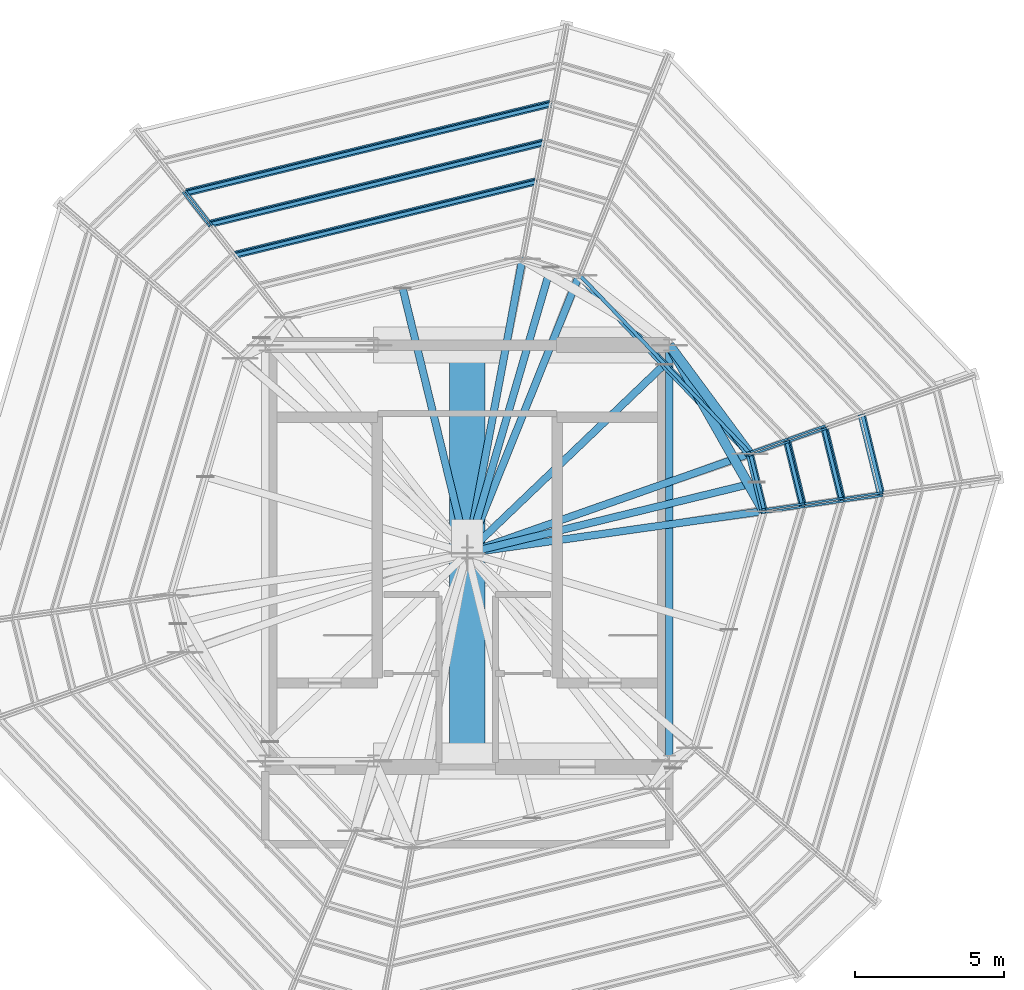
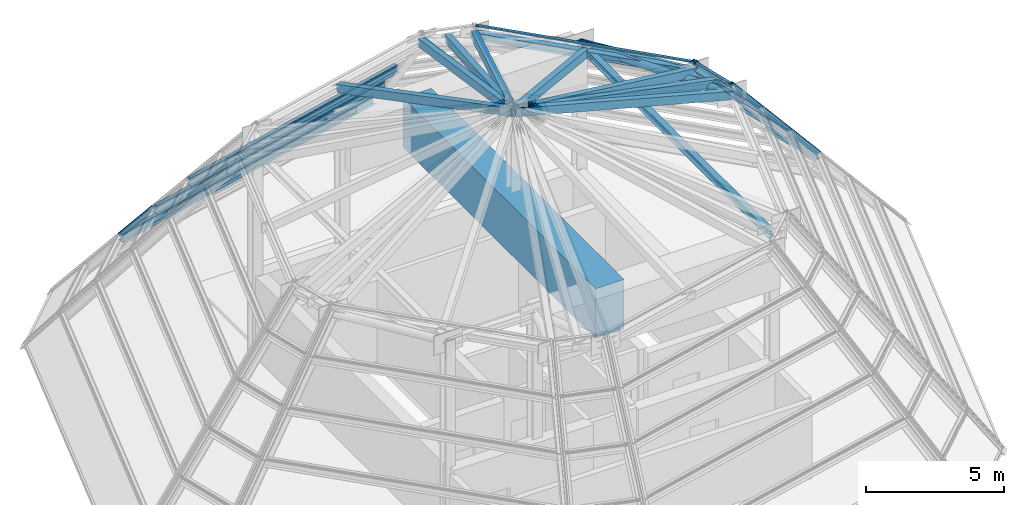
# One storey, part 7 of 13: 35 members, 10 beams, 14 elements without a shape of their own.
"""IFC4 building model written with IfcOpenShell, lengths in metres."""

from ifc_helpers import new_model, si_unit, direction, frame, origin, origin_2d, place, context, subcontext, project, spatial, rectangle, hollow_rectangle, hollow_circle, i_section, extrude, source, transform, mapped, material, layer, layer_set, material_profile, profile_set, type_object, element, aggregate, save


model = new_model("IFC4")

# Units and contexts
model_context = context("Model", 3, precision=1e-05, world=origin(), true_north=direction((0.0, 1.0)))
body_context = subcontext(model_context, "Body", "Model", "MODEL_VIEW")
ifc_project = project(units=[si_unit("LENGTHUNIT", "METRE"), si_unit("AREAUNIT", "SQUARE_METRE"), si_unit("VOLUMEUNIT", "CUBIC_METRE"), si_unit("PLANEANGLEUNIT", "RADIAN"), si_unit("MASSUNIT", "GRAM", prefix="KILO")], contexts=[model_context])

# Site, building, storey
site_placement = place(None, origin())
site = spatial("IfcSite", under=ifc_project, at=site_placement, CompositionType="ELEMENT")
building_placement = place(site_placement, origin())
building = spatial("IfcBuilding", under=site, at=building_placement, Name="Veraguas Prism Commons", CompositionType="ELEMENT")
storey_placement = place(building_placement, frame((0.0, 0.0, 268.89990234375)))
storey = spatial("IfcBuildingStorey", under=building, at=storey_placement, Name="RF", CompositionType="ELEMENT", Elevation=268.89990234375)

# Members
ifc_material_1 = material(Name="Steel ASTM A500 Grade C", Category="steel")
ifc_material_profile_1 = material_profile(ifc_material_1, hollow_circle(Radius=0.162109375, WallThickness=0.01611328125, at=origin_2d()), Name="CHS324X16")
ifc_profile_set_1 = profile_set([ifc_material_profile_1], Name="Steel ASTM A500 Grade C")
member_type_1 = type_object("IfcMemberType", Name="Crown Apex Collar Strut CHS 324x16", PredefinedType="STRUT", material=ifc_profile_set_1)
member_1_placement = place(storey_placement, frame((33.975830078125, 25.41259765625, 9.067138671875), z_axis=(-0.49414123824, 0.869381640403, 0.0), x_axis=(-0.869381640403, -0.49414123824, 0.0)))
element("IfcMember", 1, at=member_1_placement, inside=storey, type_object=member_type_1, Name="Crown Apex Collar Strut 01", PredefinedType="STRUT", context=body_context, shape_type="SweptSolid", body=[
    extrude(hollow_circle(Radius=0.162109375, WallThickness=0.01611328125, at=origin_2d()), origin(), (0.0, 0.0, 1.0), 6.4267578125),
])
member_2_placement = place(storey_placement, frame((33.50439453125, 27.343505859375, 9.067138671875), z_axis=(-0.59463555579, 0.803995370503, 0.0), x_axis=(-0.803995370503, -0.59463555579, 0.0)))
element("IfcMember", 2, at=member_2_placement, inside=storey, type_object=member_type_1, Name="Crown Apex Collar Strut 02", PredefinedType="STRUT", context=body_context, shape_type="SweptSolid", body=[
    extrude(hollow_circle(Radius=0.162109375, WallThickness=0.01611328125, at=origin_2d()), origin(), (0.0, 0.0, 1.0), 4.5478515625),
])

# Beams
ifc_material_2 = material(Name="Steel ASTM A992 Grade 50", Category="steel")
ifc_material_profile_2 = material_profile(ifc_material_2, i_section(OverallWidth=0.25390625, OverallDepth=0.305908203125, WebThickness=0.0087890625, FlangeThickness=0.0146484375, at=origin_2d()), Name="W310X79")
ifc_profile_set_2 = profile_set([ifc_material_profile_2], Name="Steel ASTM A992 Grade 50")
beam_type_1 = type_object("IfcBeamType", Name="Crown Ring Spandrel W310x79", PredefinedType="SPANDREL", material=ifc_profile_set_2)
beam_1_placement = place(storey_placement, frame((30.800048828125, 17.0, 9.067138671875), z_axis=(0.0, 1.0, 0.0), x_axis=(-1.0, 0.0, 0.0)))
element("IfcBeam", 3, at=beam_1_placement, inside=storey, type_object=beam_type_1, Name="Crown Apex Ring Beam 6", PredefinedType="SPANDREL", context=body_context, shape_type="SweptSolid", body=[
    extrude(i_section(OverallWidth=0.25390625, OverallDepth=0.305908203125, WebThickness=0.0087890625, FlangeThickness=0.0146484375, at=origin_2d()), origin(), (0.0, 0.0, 1.0), 14.0),
])
beam_2_placement = place(storey_placement, frame((37.9287109375, 25.972412109375, 4.59716796875), z_axis=(-0.237191112985, 0.971463008004, 0.0), x_axis=(-0.971463008004, -0.237191112985, 0.0)))
element("IfcBeam", 4, at=beam_2_placement, inside=storey, type_object=beam_type_1, Name="Crown Facet Ring Beam T3-V01", PredefinedType="SPANDREL", context=body_context, shape_type="SweptSolid", body=[
    extrude(i_section(OverallWidth=0.25390625, OverallDepth=0.305908203125, WebThickness=0.0087890625, FlangeThickness=0.0146484375, at=origin_2d()), origin(), (0.0, 0.0, 1.0), 2.77490234375),
])
beam_3_placement = place(storey_placement, frame((36.611083984375, 25.78564453125, 6.180419921875), z_axis=(-0.237182094175, 0.971465209981, 0.0), x_axis=(-0.971465209981, -0.237182094175, 0.0)))
element("IfcBeam", 5, at=beam_3_placement, inside=storey, type_object=beam_type_1, Name="Crown Facet Ring Beam T4-V01", PredefinedType="SPANDREL", context=body_context, shape_type="SweptSolid", body=[
    extrude(i_section(OverallWidth=0.25390625, OverallDepth=0.305908203125, WebThickness=0.0087890625, FlangeThickness=0.0146484375, at=origin_2d()), origin(), (0.0, 0.0, 1.0), 2.5126953125),
])
beam_4_placement = place(storey_placement, frame((35.29345703125, 25.59912109375, 7.763916015625), z_axis=(-0.2371959725, 0.971461821499, 0.0), x_axis=(-0.971461821499, -0.2371959725, 0.0)))
element("IfcBeam", 6, at=beam_4_placement, inside=storey, type_object=beam_type_1, Name="Crown Facet Ring Beam T5-V01", PredefinedType="SPANDREL", context=body_context, shape_type="SweptSolid", body=[
    extrude(i_section(OverallWidth=0.25390625, OverallDepth=0.305908203125, WebThickness=0.0087890625, FlangeThickness=0.0146484375, at=origin_2d()), origin(), (0.0, 0.0, 1.0), 2.25),
])
beam_5_placement = place(storey_placement, frame((33.975830078125, 25.41259765625, 9.067138671875), z_axis=(-0.237185213056, 0.971464448504, 0.0), x_axis=(-0.971464448504, -0.237185213056, 0.0)))
element("IfcBeam", 7, at=beam_5_placement, inside=storey, type_object=beam_type_1, Name="Crown Facet Ring Beam T6-V01", PredefinedType="SPANDREL", context=body_context, shape_type="SweptSolid", body=[
    extrude(i_section(OverallWidth=0.25390625, OverallDepth=0.305908203125, WebThickness=0.0087890625, FlangeThickness=0.0146484375, at=origin_2d()), origin(), (0.0, 0.0, 1.0), 1.987548828125),
])
beam_6_placement = place(storey_placement, frame((33.50439453125, 27.343505859375, 9.067138671875), z_axis=(-0.691129195841, 0.722731232656, 0.0), x_axis=(-0.722731232656, -0.691129195841, 0.0)))
element("IfcBeam", 8, at=beam_6_placement, inside=storey, type_object=beam_type_1, Name="Crown Facet Ring Beam T6-V02", PredefinedType="SPANDREL", context=body_context, shape_type="SweptSolid", body=[
    extrude(i_section(OverallWidth=0.25390625, OverallDepth=0.305908203125, WebThickness=0.0087890625, FlangeThickness=0.0146484375, at=origin_2d()), origin(), (0.0, 0.0, 1.0), 8.304931640625),
])
beam_7_placement = place(storey_placement, frame((26.837646484375, 39.134521484375, 3.013916015625), z_axis=(-0.971464042785, -0.237186874796, 0.0), x_axis=(0.237186874796, -0.971464042785, 0.0)))
element("IfcBeam", 9, at=beam_7_placement, inside=storey, type_object=beam_type_1, Name="Crown Facet Ring Beam T2-V04", PredefinedType="SPANDREL", context=body_context, shape_type="SweptSolid", body=[
    extrude(i_section(OverallWidth=0.25390625, OverallDepth=0.305908203125, WebThickness=0.0087890625, FlangeThickness=0.0146484375, at=origin_2d()), origin(), (0.0, 0.0, 1.0), 12.692626953125),
])
beam_8_placement = place(storey_placement, frame((26.592529296875, 37.82666015625, 4.59716796875), z_axis=(-0.971466525392, -0.237176706368, 0.0), x_axis=(0.237176706368, -0.971466525392, 0.0)))
element("IfcBeam", 10, at=beam_8_placement, inside=storey, type_object=beam_type_1, Name="Crown Facet Ring Beam T3-V04", PredefinedType="SPANDREL", context=body_context, shape_type="SweptSolid", body=[
    extrude(i_section(OverallWidth=0.25390625, OverallDepth=0.305908203125, WebThickness=0.0087890625, FlangeThickness=0.0146484375, at=origin_2d()), origin(), (0.0, 0.0, 1.0), 11.595703125),
])
beam_9_placement = place(storey_placement, frame((26.34716796875, 36.518798828125, 6.180419921875), z_axis=(-0.971462860485, -0.237191717181, 0.0), x_axis=(0.237191717181, -0.971462860485, 0.0)))
element("IfcBeam", 11, at=beam_9_placement, inside=storey, type_object=beam_type_1, Name="Crown Facet Ring Beam T4-V04", PredefinedType="SPANDREL", context=body_context, shape_type="SweptSolid", body=[
    extrude(i_section(OverallWidth=0.25390625, OverallDepth=0.305908203125, WebThickness=0.0087890625, FlangeThickness=0.0146484375, at=origin_2d()), origin(), (0.0, 0.0, 1.0), 10.498779296875),
])

# Members
ifc_material_profile_3 = material_profile(ifc_material_1, hollow_rectangle(XDim=0.25, YDim=0.35009765625, WallThickness=0.01611328125, at=origin_2d()), Name="HSS350X250X16")
ifc_profile_set_3 = profile_set([ifc_material_profile_3], Name="Steel ASTM A500 Grade C")
member_type_2 = type_object("IfcMemberType", Name="Glass Point Crown Rib HSS 350x250x16", PredefinedType="RAFTER", material=ifc_profile_set_3)
member_3_placement = place(storey_placement, frame((33.975830078125, 25.41259765625, 9.067138671875), z_axis=(-0.932888822786, -0.132098938563, 0.335064642647), x_axis=(0.140203374759, -0.990122726588, 0.0)))
element("IfcMember", 12, at=member_3_placement, inside=storey, type_object=member_type_2, Name="Crown Pyramidal Hip Rafter 01", PredefinedType="RAFTER", context=body_context, shape_type="SweptSolid", body=[
    extrude(hollow_rectangle(XDim=0.25, YDim=0.35009765625, WallThickness=0.01611328125, at=origin_2d()), origin(), (0.0, 0.0, 1.0), 10.693603515625),
])
member_4_placement = place(storey_placement, frame((33.740234375, 26.3779296875, 9.067138671875), z_axis=(-0.914809280623, -0.223336735344, 0.336518473091), x_axis=(0.237169185892, -0.971468361432, 0.0)))
element("IfcMember", 13, at=member_4_placement, inside=storey, type_object=member_type_2, Name="Crown Pyramidal Mid Rafter 01", PredefinedType="RAFTER", context=body_context, shape_type="SweptSolid", body=[
    extrude(hollow_rectangle(XDim=0.25, YDim=0.35009765625, WallThickness=0.01611328125, at=origin_2d()), origin(), (0.0, 0.0, 1.0), 10.647216796875),
])
member_5_placement = place(storey_placement, frame((33.50439453125, 27.343505859375, 9.067138671875), z_axis=(-0.888802847543, -0.312667736889, 0.335064746739), x_axis=(0.33185030924, -0.943332058322, 0.0)))
element("IfcMember", 14, at=member_5_placement, inside=storey, type_object=member_type_2, Name="Crown Pyramidal Hip Rafter 02", PredefinedType="RAFTER", context=body_context, shape_type="SweptSolid", body=[
    extrude(hollow_rectangle(XDim=0.25, YDim=0.35009765625, WallThickness=0.01611328125, at=origin_2d()), origin(), (0.0, 0.0, 1.0), 10.693359375),
])
member_6_placement = place(storey_placement, frame((30.634521484375, 30.344482421875, 9.067138671875), z_axis=(-0.673261399564, -0.643828665703, 0.363598318307), x_axis=(0.69113266808, -0.722727912228, 0.0)))
element("IfcMember", 15, at=member_6_placement, inside=storey, type_object=member_type_2, Name="Crown Pyramidal Mid Rafter 02", PredefinedType="RAFTER", context=body_context, shape_type="SweptSolid", body=[
    extrude(hollow_rectangle(XDim=0.25, YDim=0.35009765625, WallThickness=0.01611328125, at=origin_2d()), origin(), (0.0, 0.0, 1.0), 9.854248046875),
])
member_7_placement = place(storey_placement, frame((27.7646484375, 33.345703125, 9.067138671875), z_axis=(-0.352047474863, -0.873954431761, 0.33506152666), x_axis=(0.927571545568, -0.37364559124, 0.0)))
element("IfcMember", 16, at=member_7_placement, inside=storey, type_object=member_type_2, Name="Crown Pyramidal Hip Rafter 03", PredefinedType="RAFTER", context=body_context, shape_type="SweptSolid", body=[
    extrude(hollow_rectangle(XDim=0.25, YDim=0.35009765625, WallThickness=0.01611328125, at=origin_2d()), origin(), (0.0, 0.0, 1.0), 10.693603515625),
])
member_8_placement = place(storey_placement, frame((26.810791015625, 33.624267578125, 9.067138671875), z_axis=(-0.263990942743, -0.903916177701, 0.336517942821), x_axis=(0.959900396633, -0.280341271567, 0.0)))
element("IfcMember", 17, at=member_8_placement, inside=storey, type_object=member_type_2, Name="Crown Pyramidal Mid Rafter 03", PredefinedType="RAFTER", context=body_context, shape_type="SweptSolid", body=[
    extrude(hollow_rectangle(XDim=0.25, YDim=0.35009765625, WallThickness=0.01611328125, at=origin_2d()), origin(), (0.0, 0.0, 1.0), 10.647216796875),
])
member_9_placement = place(storey_placement, frame((25.856689453125, 33.90283203125, 9.067138671875), z_axis=(-0.17362756464, -0.926059339502, 0.33506352908), x_axis=(0.982873832801, -0.184279756877, 0.0)))
element("IfcMember", 18, at=member_9_placement, inside=storey, type_object=member_type_2, Name="Crown Pyramidal Hip Rafter 04", PredefinedType="RAFTER", context=body_context, shape_type="SweptSolid", body=[
    extrude(hollow_rectangle(XDim=0.25, YDim=0.35009765625, WallThickness=0.01611328125, at=origin_2d()), origin(), (0.0, 0.0, 1.0), 10.693603515625),
])
member_10_placement = place(storey_placement, frame((21.82275390625, 32.91796875, 9.067138671875), z_axis=(0.22094229963, -0.9049764881, 0.363596006881), x_axis=(0.971466855013, 0.237175356247, 0.0)))
element("IfcMember", 19, at=member_10_placement, inside=storey, type_object=member_type_2, Name="Crown Pyramidal Mid Rafter 04", PredefinedType="RAFTER", context=body_context, shape_type="SweptSolid", body=[
    extrude(hollow_rectangle(XDim=0.25, YDim=0.35009765625, WallThickness=0.01611328125, at=origin_2d()), origin(), (0.0, 0.0, 1.0), 9.854248046875),
])

# Beam
ifc_material_3 = material(Name="Concrete C50/60", Category="concrete")
ifc_material_profile_4 = material_profile(ifc_material_3, rectangle(XDim=1.199951171875, YDim=2.199951171875, at=origin_2d()), Name="RC1200X2200")
ifc_profile_set_4 = profile_set([ifc_material_profile_4], Name="Concrete C50/60")
beam_type_2 = type_object("IfcBeamType", Name="Podium Transfer Girder RC 1200x2200", PredefinedType="BEAM", material=ifc_profile_set_4)
beam_10_placement = place(storey_placement, frame((24.0, 17.0, 8.1201171875), z_axis=(0.0, 1.0, 0.0), x_axis=(-1.0, 0.0, 0.0)))
element("IfcBeam", 20, at=beam_10_placement, inside=storey, type_object=beam_type_2, Name="Crown Apex Central Transfer Girder", PredefinedType="BEAM", context=body_context, shape_type="SweptSolid", body=[
    extrude(rectangle(XDim=1.199951171875, YDim=2.199951171875, at=origin_2d()), origin(), (0.0, 0.0, 1.0), 14.0),
])

# Curtain wall, member
ifc_material_4 = material(Name="Anodised aluminium EN AW-6063 T6", Category="aluminium")
ifc_layer = layer(ifc_material_4, 0.199951171875, Name="Faceted Glass Point Crown Curtain Wall", Category="aluminium")
ifc_layer_set = layer_set([ifc_layer], Name="Anodised aluminium EN AW-6063 T6")
curtain_wall_type = type_object("IfcCurtainWallType", Name="Faceted Glass Point Crown Curtain Wall", PredefinedType="NOTDEFINED", material=ifc_layer_set)
curtain_wall_1_placement = place(storey_placement, origin())
curtain_wall_1 = element("IfcCurtainWall", 21, at=curtain_wall_1_placement, inside=storey, type_object=curtain_wall_type, Name="Crown Glass-Point Facet T4-F01", PredefinedType="NOTDEFINED")
ifc_material_profile_5 = material_profile(ifc_material_4, hollow_rectangle(XDim=0.06494140625, YDim=0.199951171875, WallThickness=0.00390625, at=origin_2d()), Name="AL65X200X4")
ifc_profile_set_5 = profile_set([ifc_material_profile_5], Name="Anodised aluminium EN AW-6063 T6")
member_type_3 = type_object("IfcMemberType", Name="Curtain Wall Mullion Heavy AL 65x200x4", PredefinedType="MULLION", material=ifc_profile_set_5)
shared_shape_1 = source(origin(), body_context, "Body", "SweptSolid", [
    extrude(hollow_rectangle(XDim=0.06494140625, YDim=0.199951171875, WallThickness=0.00390625, at=origin_2d()), origin(), (0.0, 0.0, 1.0), 2.068359375),
])
member_11_placement = place(storey_placement, frame((37.916259765625, 26.023193359375, 4.75), z_axis=(-0.637018728137, -0.090176451417, 0.765555581008), x_axis=(0.140162712882, -0.99012848354, 0.0)))
member_11 = element("IfcMember", 22, at=member_11_placement, type_object=member_type_3, Name="CW-CRN Mullion 1", PredefinedType="MULLION", context=body_context, shape_type="MappedRepresentation", body=[
    mapped(shared_shape_1, transform((0.0, 0.0, 0.0), scale=1.0)),
])

curtain_wall_2_placement = place(storey_placement, origin())
curtain_wall_2 = element("IfcCurtainWall", 23, at=curtain_wall_2_placement, inside=storey, type_object=curtain_wall_type, Name="Crown Glass-Point Facet T4-F12", PredefinedType="NOTDEFINED")
member_12_placement = place(storey_placement, frame((37.913818359375, 25.921875, 4.75), z_axis=(-0.637018728137, -0.090176451417, 0.765555581008), x_axis=(0.140162712882, -0.99012848354, 0.0)))
member_12 = element("IfcMember", 24, at=member_12_placement, type_object=member_type_3, Name="CW-CRN Mullion 2", PredefinedType="MULLION", context=body_context, shape_type="MappedRepresentation", body=[
    mapped(shared_shape_1, transform((0.0, 0.0, 0.0), scale=1.0)),
])
aggregate(curtain_wall_2, [member_12])

curtain_wall_3_placement = place(storey_placement, origin())
curtain_wall_3 = element("IfcCurtainWall", 25, at=curtain_wall_3_placement, inside=storey, type_object=curtain_wall_type, Name="Crown Glass-Point Facet T5-F01", PredefinedType="NOTDEFINED")
member_13_placement = place(storey_placement, frame((36.5986328125, 25.836669921875, 6.33349609375), z_axis=(-0.637076292552, -0.090184600243, 0.765506718029), x_axis=(0.140162712882, -0.99012848354, 0.0)))
member_13 = element("IfcMember", 26, at=member_13_placement, type_object=member_type_3, Name="CW-CRN Mullion 1", PredefinedType="MULLION", context=body_context, shape_type="MappedRepresentation", body=[
    mapped(shared_shape_1, transform((0.0, 0.0, 0.0), scale=1.0)),
])

# Curtain wall, members
curtain_wall_4_placement = place(storey_placement, origin())
curtain_wall_4 = element("IfcCurtainWall", 27, at=curtain_wall_4_placement, inside=storey, type_object=curtain_wall_type, Name="Crown Glass-Point Facet T6-F01", PredefinedType="NOTDEFINED")
member_14_placement = place(storey_placement, frame((35.281005859375, 25.650146484375, 7.916748046875), z_axis=(-0.637076292552, -0.090184600243, 0.765506718029), x_axis=(0.140162712882, -0.99012848354, 0.0)))
member_14 = element("IfcMember", 28, at=member_14_placement, type_object=member_type_3, Name="CW-CRN Mullion 1", PredefinedType="MULLION", context=body_context, shape_type="MappedRepresentation", body=[
    mapped(shared_shape_1, transform((0.0, 0.0, 0.0), scale=1.0)),
])
member_15_placement = place(storey_placement, frame((34.772216796875, 27.734130859375, 7.916748046875), z_axis=(-0.606969745042, -0.213537197352, 0.765499571489), x_axis=(0.331869934634, -0.943325154168, 0.0)))
member_15 = element("IfcMember", 29, at=member_15_placement, type_object=member_type_3, Name="CW-CRN Mullion 2", PredefinedType="MULLION", context=body_context, shape_type="MappedRepresentation", body=[
    mapped(shared_shape_1, transform((0.0, 0.0, 0.0), scale=1.0)),
])

# Curtain wall, member
curtain_wall_5_placement = place(storey_placement, origin())
curtain_wall_5 = element("IfcCurtainWall", 30, at=curtain_wall_5_placement, inside=storey, type_object=curtain_wall_type, Name="Crown Glass-Point Facet T6-F02", PredefinedType="NOTDEFINED")
member_16_placement = place(storey_placement, frame((34.7236328125, 27.822998046875, 7.916748046875), z_axis=(-0.606969745042, -0.213537197352, 0.765499571489), x_axis=(0.331869934634, -0.943325154168, 0.0)))
member_16 = element("IfcMember", 31, at=member_16_placement, type_object=member_type_3, Name="CW-CRN Mullion 1", PredefinedType="MULLION", context=body_context, shape_type="MappedRepresentation", body=[
    mapped(shared_shape_1, transform((0.0, 0.0, 0.0), scale=1.0)),
])

curtain_wall_6_placement = place(storey_placement, origin())
curtain_wall_6 = element("IfcCurtainWall", 32, at=curtain_wall_6_placement, inside=storey, type_object=curtain_wall_type, Name="Crown Glass-Point Facet T6-F12", PredefinedType="NOTDEFINED")
member_17_placement = place(storey_placement, frame((35.27880859375, 25.548828125, 7.916748046875), z_axis=(-0.637076292552, -0.090184600243, 0.765506718029), x_axis=(0.140162712882, -0.99012848354, 0.0)))
member_17 = element("IfcMember", 33, at=member_17_placement, type_object=member_type_3, Name="CW-CRN Mullion 2", PredefinedType="MULLION", context=body_context, shape_type="MappedRepresentation", body=[
    mapped(shared_shape_1, transform((0.0, 0.0, 0.0), scale=1.0)),
])
aggregate(curtain_wall_6, [member_17])

curtain_wall_7_placement = place(storey_placement, origin())
curtain_wall_7 = element("IfcCurtainWall", 34, at=curtain_wall_7_placement, inside=storey, type_object=curtain_wall_type, Name="Crown Glass-Point Facet T3-F04", PredefinedType="NOTDEFINED")
shared_shape_2 = source(origin(), body_context, "Body", "SweptSolid", [
    extrude(hollow_rectangle(XDim=0.06494140625, YDim=0.199951171875, WallThickness=0.00390625, at=origin_2d()), origin(), (0.0, 0.0, 1.0), 2.068115234375),
])
member_18_placement = place(storey_placement, frame((14.558349609375, 36.136474609375, 3.166748046875), z_axis=(0.396624591411, -0.506640698315, 0.765509070031), x_axis=(0.787412078932, 0.616426976983, 0.0)))
member_18 = element("IfcMember", 35, at=member_18_placement, type_object=member_type_3, Name="CW-CRN Mullion 2", PredefinedType="MULLION", context=body_context, shape_type="MappedRepresentation", body=[
    mapped(shared_shape_2, transform((0.0, 0.0, 0.0), scale=1.0)),
])

curtain_wall_8_placement = place(storey_placement, origin())
curtain_wall_8 = element("IfcCurtainWall", 36, at=curtain_wall_8_placement, inside=storey, type_object=curtain_wall_type, Name="Crown Glass-Point Facet T3-F05", PredefinedType="NOTDEFINED")
member_19_placement = place(storey_placement, frame((14.46923828125, 36.087890625, 3.166748046875), z_axis=(0.396624591411, -0.506640698315, 0.765509070031), x_axis=(0.787412078932, 0.616426976983, 0.0)))
member_19 = element("IfcMember", 37, at=member_19_placement, type_object=member_type_3, Name="CW-CRN Mullion 1", PredefinedType="MULLION", context=body_context, shape_type="MappedRepresentation", body=[
    mapped(shared_shape_2, transform((0.0, 0.0, 0.0), scale=1.0)),
])
aggregate(curtain_wall_8, [member_19])

# Member
member_20_placement = place(storey_placement, frame((36.027587890625, 28.175537109375, 6.33349609375), z_axis=(-0.606985040832, -0.213424533999, 0.765518862271), x_axis=(0.331706670109, -0.943382576162, 0.0)))
member_20 = element("IfcMember", 38, at=member_20_placement, type_object=member_type_3, Name="CW-CRN Mullion 2", PredefinedType="MULLION", context=body_context, shape_type="MappedRepresentation", body=[
    mapped(shared_shape_2, transform((0.0, 0.0, 0.0), scale=1.0)),
])

# Curtain wall, member
curtain_wall_9_placement = place(storey_placement, origin())
curtain_wall_9 = element("IfcCurtainWall", 39, at=curtain_wall_9_placement, inside=storey, type_object=curtain_wall_type, Name="Crown Glass-Point Facet T5-F02", PredefinedType="NOTDEFINED")
member_21_placement = place(storey_placement, frame((35.978759765625, 28.2646484375, 6.33349609375), z_axis=(-0.606895183423, -0.213552496949, 0.765554418304), x_axis=(0.331927376585, -0.943304943628, 0.0)))
member_21 = element("IfcMember", 40, at=member_21_placement, type_object=member_type_3, Name="CW-CRN Mullion 1", PredefinedType="MULLION", context=body_context, shape_type="MappedRepresentation", body=[
    mapped(shared_shape_2, transform((0.0, 0.0, 0.0), scale=1.0)),
])
aggregate(curtain_wall_9, [member_21])

curtain_wall_10_placement = place(storey_placement, origin())
curtain_wall_10 = element("IfcCurtainWall", 41, at=curtain_wall_10_placement, inside=storey, type_object=curtain_wall_type, Name="Crown Glass-Point Facet T5-F12", PredefinedType="NOTDEFINED")
member_22_placement = place(storey_placement, frame((36.59619140625, 25.7353515625, 6.33349609375), z_axis=(-0.6370061515, -0.090191382459, 0.765564286968), x_axis=(0.140188177742, -0.990124878397, 0.0)))
member_22 = element("IfcMember", 42, at=member_22_placement, type_object=member_type_3, Name="CW-CRN Mullion 2", PredefinedType="MULLION", context=body_context, shape_type="MappedRepresentation", body=[
    mapped(shared_shape_2, transform((0.0, 0.0, 0.0), scale=1.0)),
])
aggregate(curtain_wall_10, [member_22])

curtain_wall_11_placement = place(storey_placement, origin())
curtain_wall_11 = element("IfcCurtainWall", 43, at=curtain_wall_11_placement, inside=storey, type_object=curtain_wall_type, Name="Crown Glass-Point Facet T2-F04", PredefinedType="NOTDEFINED")
ifc_material_profile_6 = material_profile(ifc_material_4, hollow_rectangle(XDim=0.050048828125, YDim=0.1201171875, WallThickness=0.0029296875, at=origin_2d()), Name="AL50X120X3")
ifc_profile_set_6 = profile_set([ifc_material_profile_6], Name="Anodised aluminium EN AW-6063 T6")
member_type_4 = type_object("IfcMemberType", Name="Curtain Wall Transom Crown AL 50x120x3", PredefinedType="USERDEFINED", material=ifc_profile_set_6)
shared_shape_3 = source(origin(), body_context, "Body", "SweptSolid", [
    extrude(hollow_rectangle(XDim=0.050048828125, YDim=0.1201171875, WallThickness=0.0029296875, at=origin_2d()), origin(), (0.0, 0.0, 1.0), 12.604736328125),
])
member_23_placement = place(storey_placement, frame((26.79052734375, 39.142822265625, 3.141845703125), z_axis=(-0.971463106625, -0.237190709062, 0.0), x_axis=(0.0, 0.0, 1.0)))
member_23 = element("IfcMember", 44, at=member_23_placement, type_object=member_type_4, Name="CW-CRN Transom 2", ObjectType="TRANSOM", PredefinedType="USERDEFINED", context=body_context, shape_type="MappedRepresentation", body=[
    mapped(shared_shape_3, transform((0.0, 0.0, 0.0), scale=1.0)),
])
aggregate(curtain_wall_11, [member_23])

curtain_wall_12_placement = place(storey_placement, origin())
curtain_wall_12 = element("IfcCurtainWall", 45, at=curtain_wall_12_placement, inside=storey, type_object=curtain_wall_type, Name="Crown Glass-Point Facet T3-F01", PredefinedType="NOTDEFINED")
shared_shape_4 = source(origin(), body_context, "Body", "SweptSolid", [
    extrude(hollow_rectangle(XDim=0.050048828125, YDim=0.1201171875, WallThickness=0.0029296875, at=origin_2d()), origin(), (0.0, 0.0, 1.0), 2.67431640625),
])
member_24_placement = place(storey_placement, frame((37.93701171875, 26.026123046875, 4.72509765625), z_axis=(-0.237183154139, 0.971464951191, 0.0), x_axis=(0.0, 0.0, 1.0)))
member_24 = element("IfcMember", 46, at=member_24_placement, type_object=member_type_4, Name="CW-CRN Transom 2", ObjectType="TRANSOM", PredefinedType="USERDEFINED", context=body_context, shape_type="MappedRepresentation", body=[
    mapped(shared_shape_4, transform((0.0, 0.0, 0.0), scale=1.0)),
])
aggregate(curtain_wall_12, [member_24])

# Member
shared_shape_5 = source(origin(), body_context, "Body", "SweptSolid", [
    extrude(hollow_rectangle(XDim=0.050048828125, YDim=0.1201171875, WallThickness=0.0029296875, at=origin_2d()), origin(), (0.0, 0.0, 1.0), 11.508056640625),
])
member_25_placement = place(storey_placement, frame((26.54541015625, 37.8349609375, 4.72509765625), z_axis=(-0.97146063064, -0.237200849738, 0.0), x_axis=(0.0, 0.0, 1.0)))
member_25 = element("IfcMember", 47, at=member_25_placement, type_object=member_type_4, Name="CW-CRN Transom 2", ObjectType="TRANSOM", PredefinedType="USERDEFINED", context=body_context, shape_type="MappedRepresentation", body=[
    mapped(shared_shape_5, transform((0.0, 0.0, 0.0), scale=1.0)),
])

shared_shape_6 = source(origin(), body_context, "Body", "SweptSolid", [
    extrude(hollow_rectangle(XDim=0.050048828125, YDim=0.1201171875, WallThickness=0.0029296875, at=origin_2d()), origin(), (0.0, 0.0, 1.0), 12.5703125),
])
member_26_placement = place(storey_placement, frame((26.782958984375, 39.101318359375, 3.19189453125), z_axis=(-0.971465569401, -0.237180622034, 0.0), x_axis=(0.0, 0.0, 1.0)))
member_26 = element("IfcMember", 48, at=member_26_placement, type_object=member_type_4, Name="CW-CRN Transom 1", ObjectType="TRANSOM", PredefinedType="USERDEFINED", context=body_context, shape_type="MappedRepresentation", body=[
    mapped(shared_shape_6, transform((0.0, 0.0, 0.0), scale=1.0)),
])

aggregate(curtain_wall_7, [member_18, member_26, member_25])

shared_shape_7 = source(origin(), body_context, "Body", "SweptSolid", [
    extrude(hollow_rectangle(XDim=0.050048828125, YDim=0.1201171875, WallThickness=0.0029296875, at=origin_2d()), origin(), (0.0, 0.0, 1.0), 2.411865234375),
])
member_27_placement = place(storey_placement, frame((36.619384765625, 25.839599609375, 6.308349609375), z_axis=(-0.237172892627, 0.971467456482, 0.0), x_axis=(0.0, 0.0, 1.0)))
member_27 = element("IfcMember", 49, at=member_27_placement, type_object=member_type_4, Name="CW-CRN Transom 2", ObjectType="TRANSOM", PredefinedType="USERDEFINED", context=body_context, shape_type="MappedRepresentation", body=[
    mapped(shared_shape_7, transform((0.0, 0.0, 0.0), scale=1.0)),
])

aggregate(curtain_wall_1, [member_11, member_27])

# Curtain wall, members
curtain_wall_13_placement = place(storey_placement, origin())
curtain_wall_13 = element("IfcCurtainWall", 50, at=curtain_wall_13_placement, inside=storey, type_object=curtain_wall_type, Name="Crown Glass-Point Facet T4-F04", PredefinedType="NOTDEFINED")
shared_shape_8 = source(origin(), body_context, "Body", "SweptSolid", [
    extrude(hollow_rectangle(XDim=0.050048828125, YDim=0.1201171875, WallThickness=0.0029296875, at=origin_2d()), origin(), (0.0, 0.0, 1.0), 11.473388671875),
])
member_28_placement = place(storey_placement, frame((26.53759765625, 37.79345703125, 4.775146484375), z_axis=(-0.971467027353, -0.237174650345, 0.0), x_axis=(0.0, 0.0, 1.0)))
member_28 = element("IfcMember", 51, at=member_28_placement, type_object=member_type_4, Name="CW-CRN Transom 1", ObjectType="TRANSOM", PredefinedType="USERDEFINED", context=body_context, shape_type="MappedRepresentation", body=[
    mapped(shared_shape_8, transform((0.0, 0.0, 0.0), scale=1.0)),
])
shared_shape_9 = source(origin(), body_context, "Body", "SweptSolid", [
    extrude(hollow_rectangle(XDim=0.050048828125, YDim=0.1201171875, WallThickness=0.0029296875, at=origin_2d()), origin(), (0.0, 0.0, 1.0), 10.4111328125),
])
member_29_placement = place(storey_placement, frame((26.300048828125, 36.52685546875, 6.308349609375), z_axis=(-0.971467120374, -0.237174269328, 0.0), x_axis=(0.0, 0.0, 1.0)))
member_29 = element("IfcMember", 52, at=member_29_placement, type_object=member_type_4, Name="CW-CRN Transom 2", ObjectType="TRANSOM", PredefinedType="USERDEFINED", context=body_context, shape_type="MappedRepresentation", body=[
    mapped(shared_shape_9, transform((0.0, 0.0, 0.0), scale=1.0)),
])
aggregate(curtain_wall_13, [member_28, member_29])

# Member
shared_shape_10 = source(origin(), body_context, "Body", "SweptSolid", [
    extrude(hollow_rectangle(XDim=0.050048828125, YDim=0.1201171875, WallThickness=0.0029296875, at=origin_2d()), origin(), (0.0, 0.0, 1.0), 2.403564453125),
])
member_30_placement = place(storey_placement, frame((36.577880859375, 25.833740234375, 6.3583984375), z_axis=(-0.237274174349, 0.97144272409, 0.0), x_axis=(0.0, 0.0, 1.0)))
member_30 = element("IfcMember", 53, at=member_30_placement, type_object=member_type_4, Name="CW-CRN Transom 1", ObjectType="TRANSOM", PredefinedType="USERDEFINED", context=body_context, shape_type="MappedRepresentation", body=[
    mapped(shared_shape_10, transform((0.0, 0.0, 0.0), scale=1.0)),
])

shared_shape_11 = source(origin(), body_context, "Body", "SweptSolid", [
    extrude(hollow_rectangle(XDim=0.050048828125, YDim=0.1201171875, WallThickness=0.0029296875, at=origin_2d()), origin(), (0.0, 0.0, 1.0), 2.149169921875),
])
member_31_placement = place(storey_placement, frame((35.3017578125, 25.653076171875, 7.891845703125), z_axis=(-0.237186297436, 0.97146418375, 0.0), x_axis=(0.0, 0.0, 1.0)))
member_31 = element("IfcMember", 54, at=member_31_placement, type_object=member_type_4, Name="CW-CRN Transom 2", ObjectType="TRANSOM", PredefinedType="USERDEFINED", context=body_context, shape_type="MappedRepresentation", body=[
    mapped(shared_shape_11, transform((0.0, 0.0, 0.0), scale=1.0)),
])

aggregate(curtain_wall_3, [member_13, member_20, member_30, member_31])

# Curtain wall, member
curtain_wall_14_placement = place(storey_placement, origin())
curtain_wall_14 = element("IfcCurtainWall", 55, at=curtain_wall_14_placement, inside=storey, type_object=curtain_wall_type, Name="Crown Glass-Point Facet T5-F04", PredefinedType="NOTDEFINED")
shared_shape_12 = source(origin(), body_context, "Body", "SweptSolid", [
    extrude(hollow_rectangle(XDim=0.050048828125, YDim=0.1201171875, WallThickness=0.0029296875, at=origin_2d()), origin(), (0.0, 0.0, 1.0), 10.37646484375),
])
member_32_placement = place(storey_placement, frame((26.292236328125, 36.485595703125, 6.3583984375), z_axis=(-0.971463372315, -0.237189620875, 0.0), x_axis=(0.0, 0.0, 1.0)))
member_32 = element("IfcMember", 56, at=member_32_placement, type_object=member_type_4, Name="CW-CRN Transom 1", ObjectType="TRANSOM", PredefinedType="USERDEFINED", context=body_context, shape_type="MappedRepresentation", body=[
    mapped(shared_shape_12, transform((0.0, 0.0, 0.0), scale=1.0)),
])
aggregate(curtain_wall_14, [member_32])

# Member
shared_shape_13 = source(origin(), body_context, "Body", "SweptSolid", [
    extrude(hollow_rectangle(XDim=0.050048828125, YDim=0.1201171875, WallThickness=0.0029296875, at=origin_2d()), origin(), (0.0, 0.0, 1.0), 2.140869140625),
])
member_33_placement = place(storey_placement, frame((35.26025390625, 25.647216796875, 7.94189453125), z_axis=(-0.237192438489, 0.97146268437, 0.0), x_axis=(0.0, 0.0, 1.0)))
member_33 = element("IfcMember", 57, at=member_33_placement, type_object=member_type_4, Name="CW-CRN Transom 1", ObjectType="TRANSOM", PredefinedType="USERDEFINED", context=body_context, shape_type="MappedRepresentation", body=[
    mapped(shared_shape_13, transform((0.0, 0.0, 0.0), scale=1.0)),
])

shared_shape_14 = source(origin(), body_context, "Body", "SweptSolid", [
    extrude(hollow_rectangle(XDim=0.050048828125, YDim=0.1201171875, WallThickness=0.0029296875, at=origin_2d()), origin(), (0.0, 0.0, 1.0), 1.88671875),
])
member_34_placement = place(storey_placement, frame((33.984375, 25.466552734375, 9.47509765625), z_axis=(-0.237325554476, 0.971430173092, 0.0), x_axis=(0.0, 0.0, 1.0)))
member_34 = element("IfcMember", 58, at=member_34_placement, type_object=member_type_4, Name="CW-CRN Transom 2", ObjectType="TRANSOM", PredefinedType="USERDEFINED", context=body_context, shape_type="MappedRepresentation", body=[
    mapped(shared_shape_14, transform((0.0, 0.0, 0.0), scale=1.0)),
])

aggregate(curtain_wall_4, [member_14, member_15, member_33, member_34])

shared_shape_15 = source(origin(), body_context, "Body", "SweptSolid", [
    extrude(hollow_rectangle(XDim=0.050048828125, YDim=0.1201171875, WallThickness=0.0029296875, at=origin_2d()), origin(), (0.0, 0.0, 1.0), 8.21728515625),
])
member_35_placement = place(storey_placement, frame((33.488037109375, 27.388427734375, 9.47509765625), z_axis=(-0.691154511201, 0.722707023383, 0.0), x_axis=(0.0, 0.0, 1.0)))
member_35 = element("IfcMember", 59, at=member_35_placement, type_object=member_type_4, Name="CW-CRN Transom 2", ObjectType="TRANSOM", PredefinedType="USERDEFINED", context=body_context, shape_type="MappedRepresentation", body=[
    mapped(shared_shape_15, transform((0.0, 0.0, 0.0), scale=1.0)),
])

aggregate(curtain_wall_5, [member_16, member_35])

save(model, "model.ifc")
